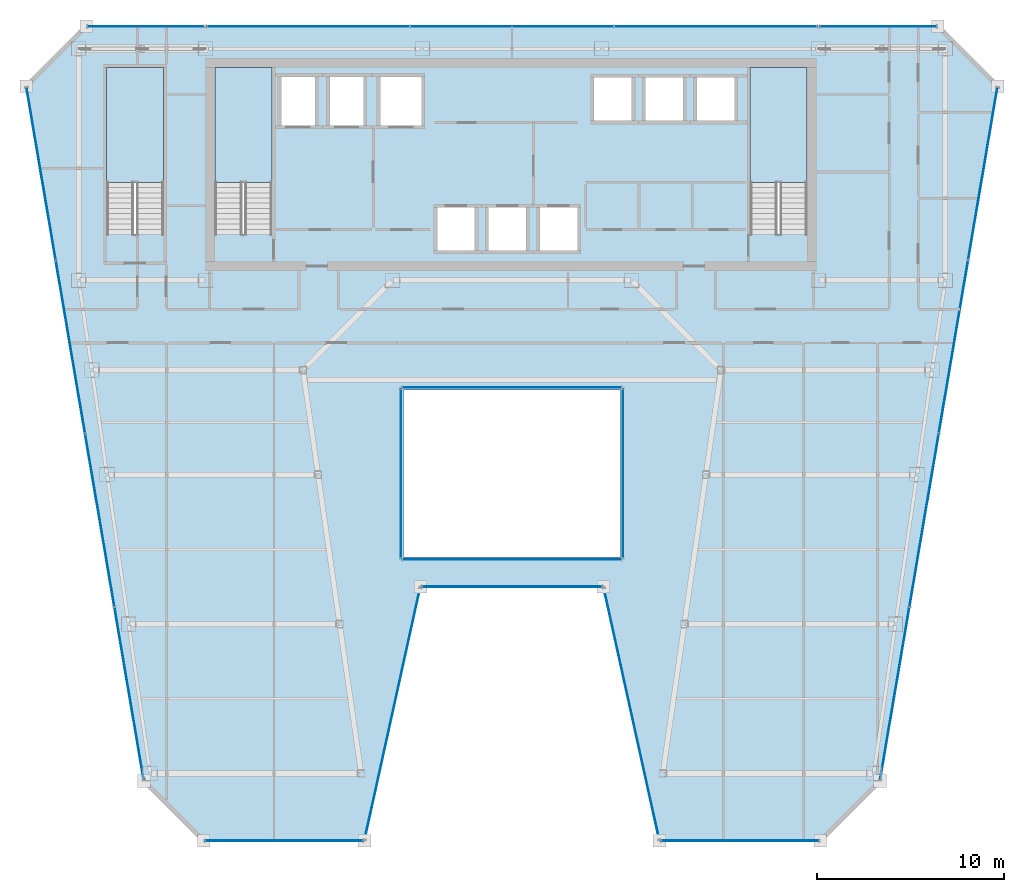
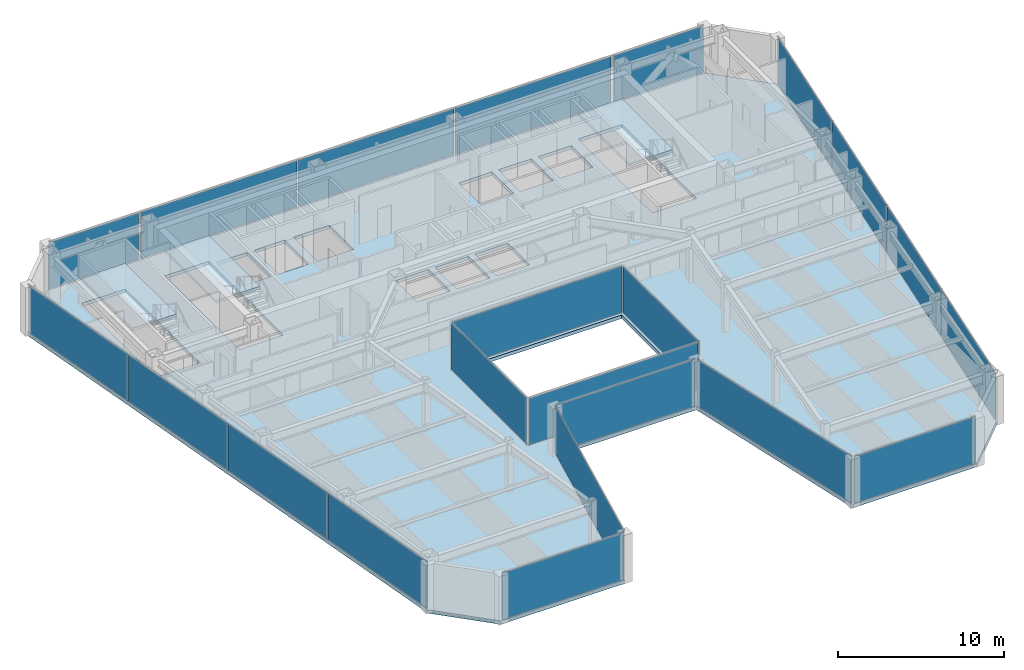
# One storey, part 28 of 36: 22 plates, 4 slabs, 17 elements without a shape of their own.
"""IFC4 building model written with IfcOpenShell, lengths in metres."""

from ifc_helpers import new_model, si_unit, direction, frame, origin, origin_2d, place, context, subcontext, project, spatial, polyline, rectangle, outline, extrude, material, layer, layer_set, type_object, element, aggregate, save


model = new_model("IFC4")

# Units and contexts
model_context = context("Model", 3, precision=1e-05, world=origin(), true_north=direction((0.0, 1.0)))
body_context = subcontext(model_context, "Body", "Model", "MODEL_VIEW")
ifc_project = project(units=[si_unit("LENGTHUNIT", "METRE"), si_unit("AREAUNIT", "SQUARE_METRE"), si_unit("VOLUMEUNIT", "CUBIC_METRE"), si_unit("PLANEANGLEUNIT", "RADIAN"), si_unit("MASSUNIT", "GRAM", prefix="KILO")], contexts=[model_context])

# Site, building, storey
site_placement = place(None, origin())
site = spatial("IfcSite", under=ifc_project, at=site_placement, CompositionType="ELEMENT")
building_placement = place(site_placement, origin())
building = spatial("IfcBuilding", under=site, at=building_placement, Name="Saevonmaru Cultural Tower", CompositionType="ELEMENT")
storey_placement = place(building_placement, frame((0.0, 0.0, 205.60009765625)))
storey = spatial("IfcBuildingStorey", under=building, at=storey_placement, Name="L47", CompositionType="ELEMENT", Elevation=205.60009765625)

# Curtain wall, plate
ifc_material_1 = material(Name="Satin Bronze Anodised Aluminium", Category="aluminium")
curtain_wall_type_1 = type_object("IfcCurtainWallType", Name="CW-ATR-GLZ", PredefinedType="NOTDEFINED", material=ifc_material_1)
curtain_wall_1_placement = place(storey_placement, origin())
curtain_wall_1 = element("IfcCurtainWall", 1, at=curtain_wall_1_placement, inside=storey, type_object=curtain_wall_type_1, Name="L47 Vertical Atrium Glazed Smoke Screen 1", PredefinedType="NOTDEFINED")
ifc_material_2 = material(Name="Fire-Rated Laminated Atrium Glass", Category="glass")
ifc_layer_1 = layer(ifc_material_2, 0.031982421875, Name="Fire-Rated Laminated Atrium Glass")
ifc_layer_set_1 = layer_set([ifc_layer_1], Name="Fire-Rated Laminated Atrium Glass")
plate_type_1 = type_object("IfcPlateType", Name="PN-GLZ-ATR-INT", PredefinedType="CURTAIN_PANEL", material=ifc_layer_set_1)
plate_1_placement = place(storey_placement, frame((30.0, 27.449951171875, 0.06689453125), z_axis=(0.0, 0.0, 1.0), x_axis=(1.0, 0.0, 0.0)))
plate_1 = element("IfcPlate", 2, at=plate_1_placement, type_object=plate_type_1, Name="CW-ATR-L47-1 panel 1.1", PredefinedType="CURTAIN_PANEL", context=body_context, shape_type="SweptSolid", body=[
    extrude(rectangle(XDim=11.7109375, YDim=0.031982421875, at=origin_2d()), origin(), (0.0, 0.0, 1.0), 3.416015625),
])
aggregate(curtain_wall_1, [plate_1])

curtain_wall_2_placement = place(storey_placement, origin())
curtain_wall_2 = element("IfcCurtainWall", 3, at=curtain_wall_2_placement, inside=storey, type_object=curtain_wall_type_1, Name="L47 Vertical Atrium Glazed Smoke Screen 2", PredefinedType="NOTDEFINED")
plate_2_placement = place(storey_placement, frame((35.949951171875, 32.06005859375, 0.06689453125), z_axis=(0.0, 0.0, 1.0), x_axis=(0.0, 1.0, 0.0)))
plate_2 = element("IfcPlate", 4, at=plate_2_placement, type_object=plate_type_1, Name="CW-ATR-L47-2 panel 1.1", PredefinedType="CURTAIN_PANEL", context=body_context, shape_type="SweptSolid", body=[
    extrude(rectangle(XDim=9.031005859375, YDim=0.031982421875, at=origin_2d()), origin(), (0.0, 0.0, 1.0), 3.416015625),
])
aggregate(curtain_wall_2, [plate_2])

curtain_wall_3_placement = place(storey_placement, origin())
curtain_wall_3 = element("IfcCurtainWall", 5, at=curtain_wall_3_placement, inside=storey, type_object=curtain_wall_type_1, Name="L47 Vertical Atrium Glazed Smoke Screen 3", PredefinedType="NOTDEFINED")
plate_3_placement = place(storey_placement, frame((30.0, 36.669921875, 0.06689453125), z_axis=(0.0, 0.0, 1.0), x_axis=(-1.0, 0.0, 0.0)))
plate_3 = element("IfcPlate", 6, at=plate_3_placement, type_object=plate_type_1, Name="CW-ATR-L47-3 panel 1.1", PredefinedType="CURTAIN_PANEL", context=body_context, shape_type="SweptSolid", body=[
    extrude(rectangle(XDim=11.7109375, YDim=0.031982421875, at=origin_2d()), origin(), (0.0, 0.0, 1.0), 3.416015625),
])
aggregate(curtain_wall_3, [plate_3])

curtain_wall_4_placement = place(storey_placement, origin())
curtain_wall_4 = element("IfcCurtainWall", 7, at=curtain_wall_4_placement, inside=storey, type_object=curtain_wall_type_1, Name="L47 Vertical Atrium Glazed Smoke Screen 4", PredefinedType="NOTDEFINED")
plate_4_placement = place(storey_placement, frame((24.050048828125, 32.06005859375, 0.06689453125), z_axis=(0.0, 0.0, 1.0), x_axis=(0.0, -1.0, 0.0)))
plate_4 = element("IfcPlate", 8, at=plate_4_placement, type_object=plate_type_1, Name="CW-ATR-L47-4 panel 1.1", PredefinedType="CURTAIN_PANEL", context=body_context, shape_type="SweptSolid", body=[
    extrude(rectangle(XDim=9.031005859375, YDim=0.031982421875, at=origin_2d()), origin(), (0.0, 0.0, 1.0), 3.416015625),
])
aggregate(curtain_wall_4, [plate_4])

curtain_wall_type_2 = type_object("IfcCurtainWallType", Name="CW-TYP-B", PredefinedType="NOTDEFINED", material=ifc_material_1)
curtain_wall_5_placement = place(storey_placement, origin())
curtain_wall_5 = element("IfcCurtainWall", 9, at=curtain_wall_5_placement, inside=storey, type_object=curtain_wall_type_2, Name="L47 Unitised Curtain Wall E2", PredefinedType="NOTDEFINED")
ifc_material_3 = material(Name="Triple Silver Low-E Insulating Glass", Category="glass")
ifc_layer_2 = layer(ifc_material_3, 0.035888671875, Name="Triple Silver Low-E Insulating Glass")
ifc_layer_set_2 = layer_set([ifc_layer_2], Name="Triple Silver Low-E Insulating Glass")
plate_type_2 = type_object("IfcPlateType", Name="PN-GLZ-IGU", PredefinedType="CURTAIN_PANEL", material=ifc_layer_set_2)
plate_5_placement = place(storey_placement, frame((17.7978515625, 12.39990234375, 0.06689453125), z_axis=(0.0, 0.0, 1.0), x_axis=(1.0, 0.0, 0.0)))
plate_5 = element("IfcPlate", 10, at=plate_5_placement, type_object=plate_type_2, Name="CW-TW-L47-E2 panel 1.1", PredefinedType="CURTAIN_PANEL", context=body_context, shape_type="SweptSolid", body=[
    extrude(rectangle(XDim=8.410888671875, YDim=0.035888671875, at=origin_2d()), origin(), (0.0, 0.0, 1.0), 3.416015625),
])
aggregate(curtain_wall_5, [plate_5])

curtain_wall_6_placement = place(storey_placement, origin())
curtain_wall_6 = element("IfcCurtainWall", 11, at=curtain_wall_6_placement, inside=storey, type_object=curtain_wall_type_2, Name="L47 Unitised Curtain Wall E3", PredefinedType="NOTDEFINED")
plate_6_placement = place(storey_placement, frame((23.597900390625, 19.199951171875, 0.06689453125), z_axis=(0.0, 0.0, 1.0), x_axis=(0.215413319953, 0.976522965212, 0.0)))
plate_6 = element("IfcPlate", 12, at=plate_6_placement, type_object=plate_type_2, Name="CW-TW-L47-E3 panel 1.1", PredefinedType="CURTAIN_PANEL", context=body_context, shape_type="SweptSolid", body=[
    extrude(rectangle(XDim=13.738037109375, YDim=0.035888671875, at=origin_2d()), origin(), (0.0, 0.0, 1.0), 3.416015625),
])
aggregate(curtain_wall_6, [plate_6])

curtain_wall_7_placement = place(storey_placement, origin())
curtain_wall_7 = element("IfcCurtainWall", 13, at=curtain_wall_7_placement, inside=storey, type_object=curtain_wall_type_2, Name="L47 Unitised Curtain Wall E4", PredefinedType="NOTDEFINED")
plate_7_placement = place(storey_placement, frame((30.0, 26.0, 0.06689453125), z_axis=(0.0, 0.0, 1.0), x_axis=(1.0, 0.0, 0.0)))
plate_7 = element("IfcPlate", 14, at=plate_7_placement, type_object=plate_type_2, Name="CW-TW-L47-E4 panel 1.1", PredefinedType="CURTAIN_PANEL", context=body_context, shape_type="SweptSolid", body=[
    extrude(rectangle(XDim=9.615478515625, YDim=0.035888671875, at=origin_2d()), origin(), (0.0, 0.0, 1.0), 3.416015625),
])
aggregate(curtain_wall_7, [plate_7])

curtain_wall_8_placement = place(storey_placement, origin())
curtain_wall_8 = element("IfcCurtainWall", 15, at=curtain_wall_8_placement, inside=storey, type_object=curtain_wall_type_2, Name="L47 Unitised Curtain Wall E5", PredefinedType="NOTDEFINED")
plate_8_placement = place(storey_placement, frame((36.402099609375, 19.199951171875, 0.06689453125), z_axis=(0.0, 0.0, 1.0), x_axis=(0.215413319953, -0.976522965212, 0.0)))
plate_8 = element("IfcPlate", 16, at=plate_8_placement, type_object=plate_type_2, Name="CW-TW-L47-E5 panel 1.1", PredefinedType="CURTAIN_PANEL", context=body_context, shape_type="SweptSolid", body=[
    extrude(rectangle(XDim=13.738037109375, YDim=0.035888671875, at=origin_2d()), origin(), (0.0, 0.0, 1.0), 3.416015625),
])
aggregate(curtain_wall_8, [plate_8])

curtain_wall_9_placement = place(storey_placement, origin())
curtain_wall_9 = element("IfcCurtainWall", 17, at=curtain_wall_9_placement, inside=storey, type_object=curtain_wall_type_2, Name="L47 Unitised Curtain Wall E6", PredefinedType="NOTDEFINED")
plate_9_placement = place(storey_placement, frame((42.2021484375, 12.39990234375, 0.06689453125), z_axis=(0.0, 0.0, 1.0), x_axis=(1.0, 0.0, 0.0)))
plate_9 = element("IfcPlate", 18, at=plate_9_placement, type_object=plate_type_2, Name="CW-TW-L47-E6 panel 1.1", PredefinedType="CURTAIN_PANEL", context=body_context, shape_type="SweptSolid", body=[
    extrude(rectangle(XDim=8.410888671875, YDim=0.035888671875, at=origin_2d()), origin(), (0.0, 0.0, 1.0), 3.416015625),
])
aggregate(curtain_wall_9, [plate_9])

# Curtain wall, plates
curtain_wall_10_placement = place(storey_placement, origin())
curtain_wall_10 = element("IfcCurtainWall", 19, at=curtain_wall_10_placement, inside=storey, type_object=curtain_wall_type_2, Name="L47 Unitised Curtain Wall E8", PredefinedType="NOTDEFINED")
plate_10_placement = place(storey_placement, frame((50.496826171875, 20.29443359375, 0.06689453125), z_axis=(0.0, 0.0, 1.0), x_axis=(0.16692169721, 0.985970155228, 0.0)))
plate_10 = element("IfcPlate", 20, at=plate_10_placement, type_object=plate_type_2, Name="CW-TW-L47-E8 panel 1.1", PredefinedType="CURTAIN_PANEL", context=body_context, shape_type="SweptSolid", body=[
    extrude(rectangle(XDim=9.333251953125, YDim=0.035888671875, at=origin_2d()), origin(), (0.0, 0.0, 1.0), 3.416015625),
])
plate_11_placement = place(storey_placement, frame((52.06640625, 29.564697265625, 0.06689453125), z_axis=(0.0, 0.0, 1.0), x_axis=(0.16692169721, 0.985970155228, 0.0)))
plate_11 = element("IfcPlate", 21, at=plate_11_placement, type_object=plate_type_2, Name="CW-TW-L47-E8 panel 2.1", PredefinedType="CURTAIN_PANEL", context=body_context, shape_type="SweptSolid", body=[
    extrude(rectangle(XDim=9.333251953125, YDim=0.035888671875, at=origin_2d()), origin(), (0.0, 0.0, 1.0), 3.416015625),
])
plate_12_placement = place(storey_placement, frame((53.6357421875, 38.835205078125, 0.06689453125), z_axis=(0.0, 0.0, 1.0), x_axis=(0.16692169721, 0.985970155228, 0.0)))
plate_12 = element("IfcPlate", 22, at=plate_12_placement, type_object=plate_type_2, Name="CW-TW-L47-E8 panel 3.1", PredefinedType="CURTAIN_PANEL", context=body_context, shape_type="SweptSolid", body=[
    extrude(rectangle(XDim=9.333251953125, YDim=0.035888671875, at=origin_2d()), origin(), (0.0, 0.0, 1.0), 3.416015625),
])
plate_13_placement = place(storey_placement, frame((55.205322265625, 48.105712890625, 0.06689453125), z_axis=(0.0, 0.0, 1.0), x_axis=(0.16692169721, 0.985970155228, 0.0)))
plate_13 = element("IfcPlate", 23, at=plate_13_placement, type_object=plate_type_2, Name="CW-TW-L47-E8 panel 4.1", PredefinedType="CURTAIN_PANEL", context=body_context, shape_type="SweptSolid", body=[
    extrude(rectangle(XDim=9.333251953125, YDim=0.035888671875, at=origin_2d()), origin(), (0.0, 0.0, 1.0), 3.416015625),
])
aggregate(curtain_wall_10, [plate_10, plate_11, plate_12, plate_13])

curtain_wall_11_placement = place(storey_placement, origin())
curtain_wall_11 = element("IfcCurtainWall", 24, at=curtain_wall_11_placement, inside=storey, type_object=curtain_wall_type_2, Name="L47 North Spine Unitised Curtain Wall E10B", PredefinedType="NOTDEFINED")
plate_14_placement = place(storey_placement, frame((40.893310546875, 56.0, 0.06689453125), z_axis=(0.0, 0.0, 1.0), x_axis=(-1.0, 0.0, 0.0)))
plate_14 = element("IfcPlate", 25, at=plate_14_placement, type_object=plate_type_2, Name="CW-TW-L47-E10B panel 1.1", PredefinedType="CURTAIN_PANEL", context=body_context, shape_type="SweptSolid", body=[
    extrude(rectangle(XDim=10.82421875, YDim=0.035888671875, at=origin_2d()), origin(), (0.0, 0.0, 1.0), 3.416015625),
])
plate_15_placement = place(storey_placement, frame((30.0, 56.0, 0.06689453125), z_axis=(0.0, 0.0, 1.0), x_axis=(-1.0, 0.0, 0.0)))
plate_15 = element("IfcPlate", 26, at=plate_15_placement, type_object=plate_type_2, Name="CW-TW-L47-E10B panel 2.1", PredefinedType="CURTAIN_PANEL", context=body_context, shape_type="SweptSolid", body=[
    extrude(rectangle(XDim=10.82421875, YDim=0.035888671875, at=origin_2d()), origin(), (0.0, 0.0, 1.0), 3.416015625),
])
plate_16_placement = place(storey_placement, frame((19.106689453125, 56.0, 0.06689453125), z_axis=(0.0, 0.0, 1.0), x_axis=(-1.0, 0.0, 0.0)))
plate_16 = element("IfcPlate", 27, at=plate_16_placement, type_object=plate_type_2, Name="CW-TW-L47-E10B panel 3.1", PredefinedType="CURTAIN_PANEL", context=body_context, shape_type="SweptSolid", body=[
    extrude(rectangle(XDim=10.82421875, YDim=0.035888671875, at=origin_2d()), origin(), (0.0, 0.0, 1.0), 3.416015625),
])
aggregate(curtain_wall_11, [plate_14, plate_15, plate_16])

curtain_wall_12_placement = place(storey_placement, origin())
curtain_wall_12 = element("IfcCurtainWall", 28, at=curtain_wall_12_placement, inside=storey, type_object=curtain_wall_type_2, Name="L47 Unitised Curtain Wall E12", PredefinedType="NOTDEFINED")
plate_17_placement = place(storey_placement, frame((4.794677734375, 48.105712890625, 0.06689453125), z_axis=(0.0, 0.0, 1.0), x_axis=(0.16692169721, -0.985970155228, 0.0)))
plate_17 = element("IfcPlate", 29, at=plate_17_placement, type_object=plate_type_2, Name="CW-TW-L47-E12 panel 1.1", PredefinedType="CURTAIN_PANEL", context=body_context, shape_type="SweptSolid", body=[
    extrude(rectangle(XDim=9.333251953125, YDim=0.035888671875, at=origin_2d()), origin(), (0.0, 0.0, 1.0), 3.416015625),
])
plate_18_placement = place(storey_placement, frame((6.3642578125, 38.835205078125, 0.06689453125), z_axis=(0.0, 0.0, 1.0), x_axis=(0.16692169721, -0.985970155228, 0.0)))
plate_18 = element("IfcPlate", 30, at=plate_18_placement, type_object=plate_type_2, Name="CW-TW-L47-E12 panel 2.1", PredefinedType="CURTAIN_PANEL", context=body_context, shape_type="SweptSolid", body=[
    extrude(rectangle(XDim=9.333251953125, YDim=0.035888671875, at=origin_2d()), origin(), (0.0, 0.0, 1.0), 3.416015625),
])
plate_19_placement = place(storey_placement, frame((7.93359375, 29.564697265625, 0.06689453125), z_axis=(0.0, 0.0, 1.0), x_axis=(0.16692169721, -0.985970155228, 0.0)))
plate_19 = element("IfcPlate", 31, at=plate_19_placement, type_object=plate_type_2, Name="CW-TW-L47-E12 panel 3.1", PredefinedType="CURTAIN_PANEL", context=body_context, shape_type="SweptSolid", body=[
    extrude(rectangle(XDim=9.333251953125, YDim=0.035888671875, at=origin_2d()), origin(), (0.0, 0.0, 1.0), 3.416015625),
])
plate_20_placement = place(storey_placement, frame((9.503173828125, 20.29443359375, 0.06689453125), z_axis=(0.0, 0.0, 1.0), x_axis=(0.16692169721, -0.985970155228, 0.0)))
plate_20 = element("IfcPlate", 32, at=plate_20_placement, type_object=plate_type_2, Name="CW-TW-L47-E12 panel 4.1", PredefinedType="CURTAIN_PANEL", context=body_context, shape_type="SweptSolid", body=[
    extrude(rectangle(XDim=9.333251953125, YDim=0.035888671875, at=origin_2d()), origin(), (0.0, 0.0, 1.0), 3.416015625),
])
aggregate(curtain_wall_12, [plate_17, plate_18, plate_19, plate_20])

# Curtain wall, plate
curtain_wall_13_placement = place(storey_placement, origin())
curtain_wall_13 = element("IfcCurtainWall", 33, at=curtain_wall_13_placement, inside=storey, type_object=curtain_wall_type_2, Name="L47 East Braced Bay Spandrel Curtain Wall E10A", PredefinedType="NOTDEFINED")
ifc_material_4 = material(Name="Insulated Satin Bronze Aluminium Spandrel Panel", Category="aluminium")
ifc_layer_3 = layer(ifc_material_4, 0.0400390625, Name="Insulated Satin Bronze Aluminium Spandrel Panel")
ifc_layer_set_3 = layer_set([ifc_layer_3], Name="Insulated Satin Bronze Aluminium Spandrel Panel")
plate_type_3 = type_object("IfcPlateType", Name="PN-SPANDREL-BRONZE", PredefinedType="CURTAIN_PANEL", material=ifc_layer_set_3)
plate_21_placement = place(storey_placement, frame((49.60009765625, 56.0, 0.06689453125), z_axis=(0.0, 0.0, 1.0), x_axis=(-1.0, 0.0, 0.0)))
plate_21 = element("IfcPlate", 34, at=plate_21_placement, type_object=plate_type_3, Name="CW-TW-L47-E10A panel 1.1", PredefinedType="CURTAIN_PANEL", context=body_context, shape_type="SweptSolid", body=[
    extrude(rectangle(XDim=6.2109375, YDim=0.035888671875, at=origin_2d()), origin(), (0.0, 0.0, 1.0), 3.416015625),
])
aggregate(curtain_wall_13, [plate_21])

curtain_wall_14_placement = place(storey_placement, origin())
curtain_wall_14 = element("IfcCurtainWall", 35, at=curtain_wall_14_placement, inside=storey, type_object=curtain_wall_type_2, Name="L47 West Braced Bay Spandrel Curtain Wall E10C", PredefinedType="NOTDEFINED")
plate_22_placement = place(storey_placement, frame((10.39990234375, 56.0, 0.06689453125), z_axis=(0.0, 0.0, 1.0), x_axis=(-1.0, 0.0, 0.0)))
plate_22 = element("IfcPlate", 36, at=plate_22_placement, type_object=plate_type_3, Name="CW-TW-L47-E10C panel 1.1", PredefinedType="CURTAIN_PANEL", context=body_context, shape_type="SweptSolid", body=[
    extrude(rectangle(XDim=6.2109375, YDim=0.035888671875, at=origin_2d()), origin(), (0.0, 0.0, 1.0), 3.416015625),
])
aggregate(curtain_wall_14, [plate_22])

# Slab
ifc_material_5 = material(Name="Concrete C40/50", Category="concrete")
ifc_layer_4 = layer(ifc_material_5, 0.25, Name="Concrete C40/50")
ifc_layer_set_4 = layer_set([ifc_layer_4], Name="Concrete C40/50")
slab_type_1 = type_object("IfcSlabType", Name="SL-FLR-250", PredefinedType="FLOOR", material=ifc_layer_set_4)
slab_1_placement = place(storey_placement, frame((0.0, 0.0, -0.25)))
element("IfcSlab", 37, at=slab_1_placement, inside=storey, type_object=slab_type_1, Name="L47 Tower Structural Floor Slab", PredefinedType="FLOOR", context=body_context, shape_type="SweptSolid", body=[
    extrude(outline(polyline([(10.2978515625, 15.60009765625), (13.497802734375, 12.39990234375), (22.097900390625, 12.39990234375), (25.097900390625, 26.0), (34.902099609375, 26.0), (37.902099609375, 12.39990234375), (46.502197265625, 12.39990234375), (49.7021484375, 15.60009765625), (56.0, 52.800048828125), (52.800048828125, 56.0), (7.199951171875, 56.0), (4.0, 52.800048828125), (10.2978515625, 15.60009765625)]), holes=[polyline([(45.800048828125, 44.875), (42.75, 44.875), (42.75, 53.800048828125), (45.800048828125, 53.800048828125), (45.800048828125, 44.875)]), polyline([(39.75, 50.800048828125), (39.75, 53.39990234375), (42.050048828125, 53.39990234375), (42.050048828125, 50.800048828125), (39.75, 50.800048828125)]), polyline([(37.0, 50.800048828125), (37.0, 53.39990234375), (39.300048828125, 53.39990234375), (39.300048828125, 50.800048828125), (37.0, 50.800048828125)]), polyline([(34.25, 50.800048828125), (34.25, 53.39990234375), (36.550048828125, 53.39990234375), (36.550048828125, 50.800048828125), (34.25, 50.800048828125)]), polyline([(24.199951171875, 27.60009765625), (24.199951171875, 36.52001953125), (35.800048828125, 36.52001953125), (35.800048828125, 27.60009765625), (24.199951171875, 27.60009765625)]), polyline([(31.35009765625, 43.85009765625), (31.35009765625, 46.449951171875), (33.64990234375, 46.449951171875), (33.64990234375, 43.85009765625), (31.35009765625, 43.85009765625)]), polyline([(28.60009765625, 43.85009765625), (28.60009765625, 46.449951171875), (30.89990234375, 46.449951171875), (30.89990234375, 43.85009765625), (28.60009765625, 43.85009765625)]), polyline([(28.14990234375, 43.85009765625), (25.85009765625, 43.85009765625), (25.85009765625, 46.449951171875), (28.14990234375, 46.449951171875), (28.14990234375, 43.85009765625)]), polyline([(25.300048828125, 50.550048828125), (22.800048828125, 50.550048828125), (22.800048828125, 53.449951171875), (25.300048828125, 53.449951171875), (25.300048828125, 50.550048828125)]), polyline([(20.10009765625, 50.550048828125), (20.10009765625, 53.449951171875), (22.199951171875, 53.449951171875), (22.199951171875, 50.550048828125), (20.10009765625, 50.550048828125)]), polyline([(17.5, 50.550048828125), (17.5, 53.449951171875), (19.60009765625, 53.449951171875), (19.60009765625, 50.550048828125), (17.5, 50.550048828125)]), polyline([(17.14990234375, 53.800048828125), (17.14990234375, 44.875), (14.10009765625, 44.875), (14.10009765625, 53.800048828125), (17.14990234375, 53.800048828125)]), polyline([(11.35009765625, 44.875), (8.300048828125, 44.875), (8.300048828125, 53.800048828125), (11.35009765625, 53.800048828125), (11.35009765625, 44.875)])]), origin(), (0.0, 0.0, 1.0), 0.25),
])

# Stair, slab
stair_type = type_object("IfcStairType", Name="STR-DOGLEG-RC", PredefinedType="HALF_TURN_STAIR", material=ifc_material_5)
stair_1_placement = place(storey_placement, origin())
stair_1 = element("IfcStair", 38, at=stair_1_placement, inside=storey, type_object=stair_type, Name="L47 Protected exit stair ST-1", PredefinedType="HALF_TURN_STAIR")
ifc_layer_5 = layer(ifc_material_5, 0.199951171875, Name="Concrete C40/50")
ifc_layer_set_5 = layer_set([ifc_layer_5], Name="Concrete C40/50")
slab_type_2 = type_object("IfcSlabType", Name="SL-STAIR-LANDING", PredefinedType="LANDING", material=ifc_layer_set_5)
slab_2_placement = place(storey_placement, frame((0.0, 0.0, 1.699951171875)))
slab_2 = element("IfcSlab", 39, at=slab_2_placement, type_object=slab_type_2, Name="ST-1-L47 landing 1", PredefinedType="LANDING", context=body_context, shape_type="SweptSolid", body=[
    extrude(outline(polyline([(17.14990234375, 47.64990234375), (17.14990234375, 53.800048828125), (14.10009765625, 53.800048828125), (14.10009765625, 47.64990234375), (17.14990234375, 47.64990234375)])), origin(), (0.0, 0.0, 1.0), 0.199951171875),
])
aggregate(stair_1, [slab_2])

stair_2_placement = place(storey_placement, origin())
stair_2 = element("IfcStair", 40, at=stair_2_placement, inside=storey, type_object=stair_type, Name="L47 Protected exit stair ST-2", PredefinedType="HALF_TURN_STAIR")
slab_3_placement = place(storey_placement, frame((0.0, 0.0, 1.699951171875)))
slab_3 = element("IfcSlab", 41, at=slab_3_placement, type_object=slab_type_2, Name="ST-2-L47 landing 1", PredefinedType="LANDING", context=body_context, shape_type="SweptSolid", body=[
    extrude(outline(polyline([(45.800048828125, 47.64990234375), (45.800048828125, 53.800048828125), (42.75, 53.800048828125), (42.75, 47.64990234375), (45.800048828125, 47.64990234375)])), origin(), (0.0, 0.0, 1.0), 0.199951171875),
])
aggregate(stair_2, [slab_3])

stair_3_placement = place(storey_placement, origin())
stair_3 = element("IfcStair", 42, at=stair_3_placement, inside=storey, type_object=stair_type, Name="L47 Protected exit stair ST-3", PredefinedType="HALF_TURN_STAIR")
slab_4_placement = place(storey_placement, frame((0.0, 0.0, 1.699951171875)))
slab_4 = element("IfcSlab", 43, at=slab_4_placement, type_object=slab_type_2, Name="ST-3-L47 landing 1", PredefinedType="LANDING", context=body_context, shape_type="SweptSolid", body=[
    extrude(outline(polyline([(11.35009765625, 47.64990234375), (11.35009765625, 53.800048828125), (8.300048828125, 53.800048828125), (8.300048828125, 47.64990234375), (11.35009765625, 47.64990234375)])), origin(), (0.0, 0.0, 1.0), 0.199951171875),
])
aggregate(stair_3, [slab_4])

save(model, "model.ifc")
